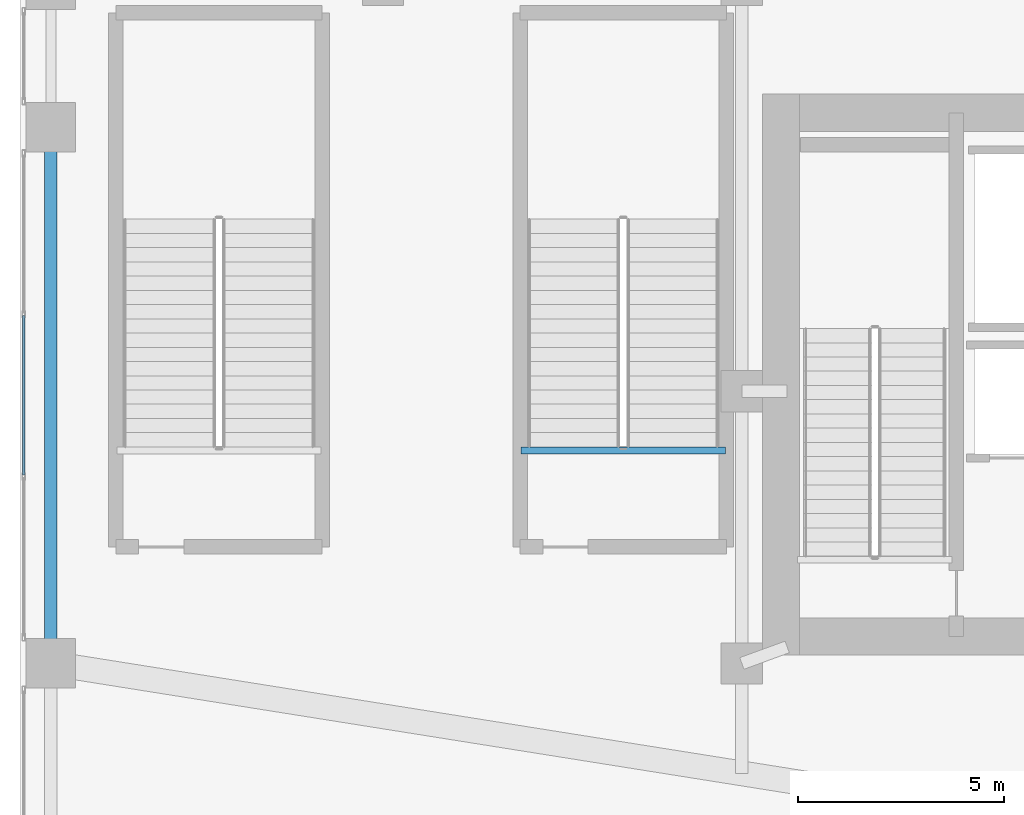
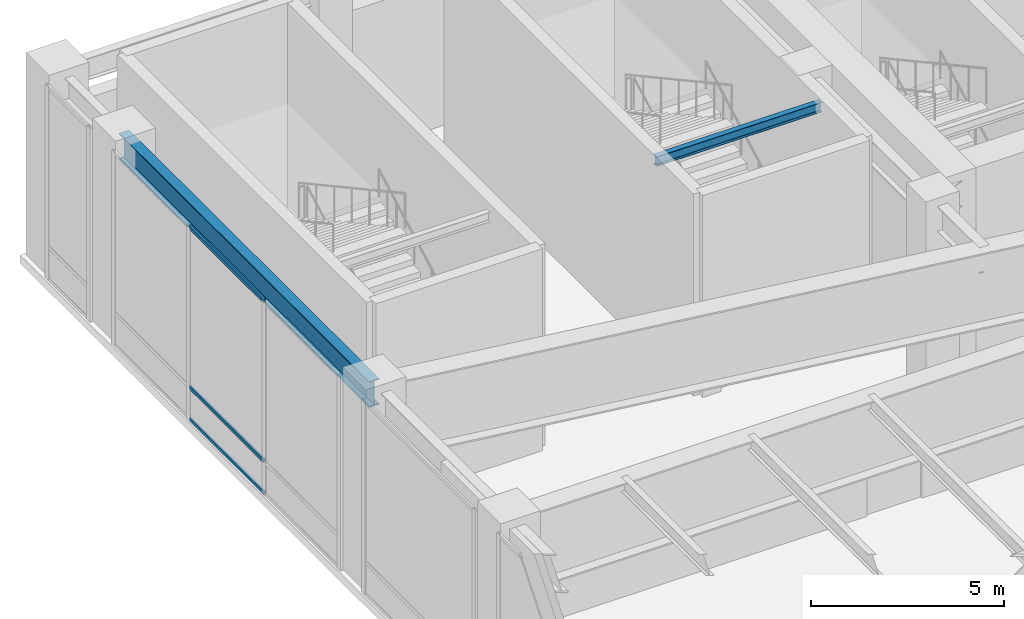
# One storey, part 29 of 50: 3 members, 2 beams, 1 element without a shape of its own.
"""IFC4 building model written with IfcOpenShell, lengths in metres."""

from ifc_helpers import new_model, si_unit, direction, frame, origin, origin_2d, place, context, subcontext, project, spatial, hollow_rectangle, i_section, extrude, source, transform, mapped, material, layer, layer_set, material_profile, profile_set, type_object, type_shapes, element, aggregate, save


model = new_model("IFC4")

# Units and contexts
model_context = context("Model", 3, precision=1e-05, world=origin(), true_north=direction((0.0, 1.0)))
body_context = subcontext(model_context, "Body", "Model", "MODEL_VIEW")
ifc_project = project(units=[si_unit("LENGTHUNIT", "METRE"), si_unit("AREAUNIT", "SQUARE_METRE"), si_unit("VOLUMEUNIT", "CUBIC_METRE"), si_unit("PLANEANGLEUNIT", "RADIAN"), si_unit("MASSUNIT", "GRAM", prefix="KILO")], contexts=[model_context])

# Site, building, storey
site_placement = place(None, origin())
site = spatial("IfcSite", under=ifc_project, at=site_placement, CompositionType="ELEMENT")
building_placement = place(site_placement, origin())
building = spatial("IfcBuilding", under=site, at=building_placement, Name="Tolvann Quenvar Hotel", CompositionType="ELEMENT")
storey_placement = place(building_placement, frame((0.0, 0.0, 16.0)))
storey = spatial("IfcBuildingStorey", under=building, at=storey_placement, Name="L03", CompositionType="ELEMENT", Elevation=16.0)

# Beams
ifc_material_1 = material(Name="Steel Grade 350", Category="steel")
ifc_material_profile_1 = material_profile(ifc_material_1, i_section(OverallWidth=0.300048828125, OverallDepth=0.81591796875, WebThickness=0.010009765625, FlangeThickness=0.028076171875, at=origin_2d()), Name="800WB192")
ifc_profile_set_1 = profile_set([ifc_material_profile_1], Name="Steel Grade 350")
beam_type_1 = type_object("IfcBeamType", Name="BM_GIRD_800WB192", PredefinedType="BEAM", material=ifc_profile_set_1)
shared_shape_1 = source(origin(), body_context, "Body", "SweptSolid", [
    extrude(i_section(OverallWidth=0.300048828125, OverallDepth=0.81591796875, WebThickness=0.010009765625, FlangeThickness=0.028076171875, at=origin_2d()), origin(), (0.0, 0.0, 1.0), 13.0),
])
type_shapes(beam_type_1, [shared_shape_1])
beam_1_placement = place(storey_placement, frame((-7.64990234375, 31.39990234375, 5.73193359375), z_axis=(0.0, 1.0, 0.0), x_axis=(-1.0, 0.0, 0.0)))
element("IfcBeam", 1, at=beam_1_placement, inside=storey, type_object=beam_type_1, Name="BM-L03-NS-A-4", PredefinedType="BEAM", context=body_context, shape_type="MappedRepresentation", body=[
    mapped(shared_shape_1, transform((0.0, 0.0, 0.0), x_axis=(1.0, 0.0, 0.0), y_axis=(0.0, 1.0, 0.0), z_axis=(0.0, 0.0, 1.0), scale=1.0)),
])
ifc_material_profile_2 = material_profile(ifc_material_1, i_section(OverallWidth=0.166015625, OverallDepth=0.306884765625, WebThickness=0.006591796875, FlangeThickness=0.01171875, FilletRadius=0.011474609375, at=origin_2d()), Name="310UB46")
ifc_profile_set_2 = profile_set([ifc_material_profile_2], Name="Steel Grade 350")
beam_type_2 = type_object("IfcBeamType", Name="BM_JOIST_310UB46", PredefinedType="JOIST", material=ifc_profile_set_2)
shared_shape_2 = source(origin(), body_context, "Body", "SweptSolid", [
    extrude(i_section(OverallWidth=0.166015625, OverallDepth=0.306884765625, WebThickness=0.006591796875, FlangeThickness=0.01171875, FilletRadius=0.011474609375, at=origin_2d()), origin(), (0.0, 0.0, 1.0), 4.949951171875),
])
type_shapes(beam_type_2, [shared_shape_2])
beam_2_placement = place(storey_placement, frame((3.75, 36.56494140625, 5.986572265625), z_axis=(1.0, 0.0, 0.0), x_axis=(0.0, 1.0, 0.0)))
element("IfcBeam", 2, at=beam_2_placement, inside=storey, type_object=beam_type_2, Name="BM-HDR-ST-P2-L04", PredefinedType="JOIST", context=body_context, shape_type="MappedRepresentation", body=[
    mapped(shared_shape_2, transform((0.0, 0.0, 0.0), x_axis=(1.0, 0.0, 0.0), y_axis=(0.0, 1.0, 0.0), z_axis=(0.0, 0.0, 1.0), scale=1.0)),
])

# Curtain wall, members
ifc_material_2 = material(Name="Thermally broken anodised architectural aluminium 6063-T6 and laminated low-E glass", Category="aluminium")
ifc_layer = layer(ifc_material_2, 0.179931640625)
ifc_layer_set = layer_set([ifc_layer], Name="Thermally broken anodised architectural aluminium 6063-T6 and laminated low-E glass")
curtain_wall_type = type_object("IfcCurtainWallType", Name="CW_SYS_BALL_02", PredefinedType="USERDEFINED", material=ifc_layer_set)
curtain_wall_placement = place(storey_placement, origin())
curtain_wall = element("IfcCurtainWall", 3, at=curtain_wall_placement, inside=storey, type_object=curtain_wall_type, Name="Curtain Wall CW-BALL-02 (CWR-L03-E07-S2)", ObjectType="UNITISED CURTAIN WALL", PredefinedType="USERDEFINED")
ifc_material_3 = material(Name="Anodised architectural aluminium 6063-T6 framing", Category="aluminium")
ifc_material_profile_3 = material_profile(ifc_material_3, hollow_rectangle(XDim=0.06005859375, YDim=0.1201171875, WallThickness=0.00341796875, at=origin_2d()), Name="120x60x3.5RHS")
ifc_profile_set_3 = profile_set([ifc_material_profile_3], Name="Anodised architectural aluminium 6063-T6 framing")
member_type = type_object("IfcMemberType", Name="CW_TRAN_120x60", PredefinedType="USERDEFINED", material=ifc_profile_set_3)
shared_shape_3 = source(origin(), body_context, "Body", "SweptSolid", [
    extrude(hollow_rectangle(XDim=0.06005859375, YDim=0.1201171875, WallThickness=0.00341796875, at=origin_2d()), origin(), (0.0, 0.0, 1.0), 3.860595703125),
])
type_shapes(member_type, [shared_shape_3])
member_1_placement = place(storey_placement, frame((-8.31005859375, 39.830322265625, 0.030029296875), z_axis=(0.0, -1.0, 0.0), x_axis=(1.0, 0.0, 0.0)))
member_1 = element("IfcMember", 4, at=member_1_placement, type_object=member_type, Name="CW-BALL-02 transom 2.1", ObjectType="TRANSOM", PredefinedType="USERDEFINED", context=body_context, shape_type="MappedRepresentation", body=[
    mapped(shared_shape_3, transform((0.0, 0.0, 0.0), x_axis=(1.0, 0.0, 0.0), y_axis=(0.0, 1.0, 0.0), z_axis=(0.0, 0.0, 1.0), scale=1.0)),
])
member_2_placement = place(storey_placement, frame((-8.31005859375, 39.830322265625, 1.050048828125), z_axis=(0.0, -1.0, 0.0), x_axis=(1.0, 0.0, 0.0)))
member_2 = element("IfcMember", 5, at=member_2_placement, type_object=member_type, Name="CW-BALL-02 transom 2.2", ObjectType="TRANSOM", PredefinedType="USERDEFINED", context=body_context, shape_type="MappedRepresentation", body=[
    mapped(shared_shape_3, transform((0.0, 0.0, 0.0), x_axis=(1.0, 0.0, 0.0), y_axis=(0.0, 1.0, 0.0), z_axis=(0.0, 0.0, 1.0), scale=1.0)),
])
member_3_placement = place(storey_placement, frame((-8.31005859375, 39.830322265625, 6.110107421875), z_axis=(0.0, -1.0, 0.0), x_axis=(1.0, 0.0, 0.0)))
member_3 = element("IfcMember", 6, at=member_3_placement, type_object=member_type, Name="CW-BALL-02 transom 2.3", ObjectType="TRANSOM", PredefinedType="USERDEFINED", context=body_context, shape_type="MappedRepresentation", body=[
    mapped(shared_shape_3, transform((0.0, 0.0, 0.0), x_axis=(1.0, 0.0, 0.0), y_axis=(0.0, 1.0, 0.0), z_axis=(0.0, 0.0, 1.0), scale=1.0)),
])
aggregate(curtain_wall, [member_1, member_2, member_3])

save(model, "model.ifc")
